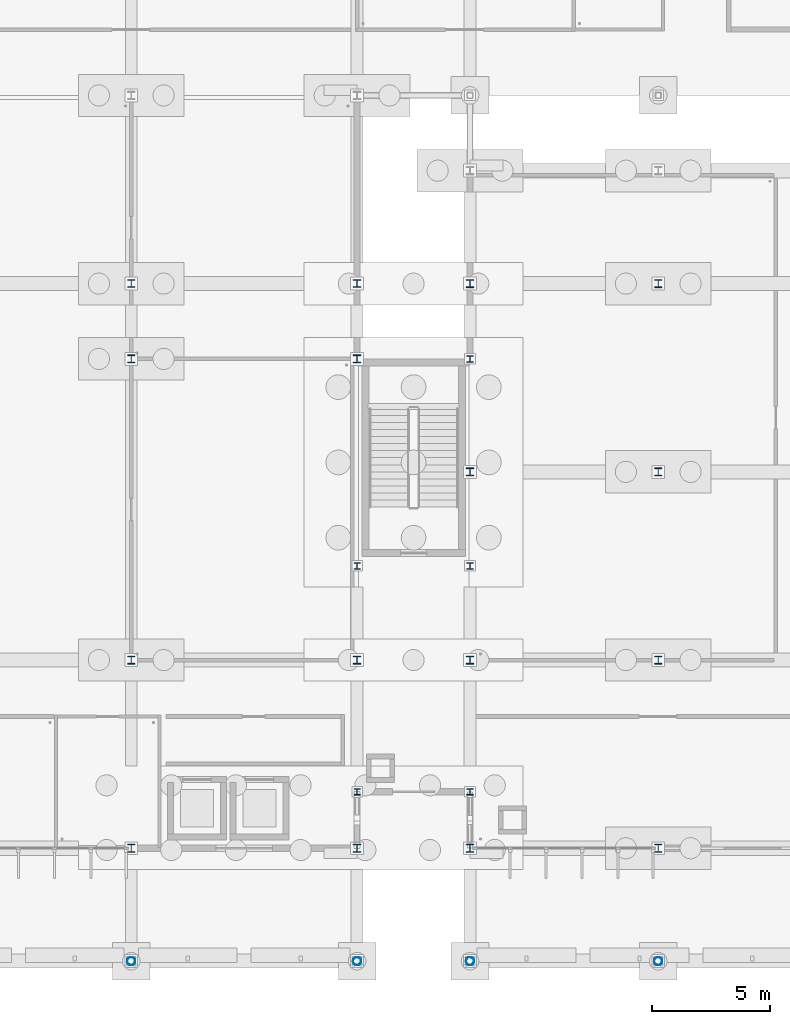
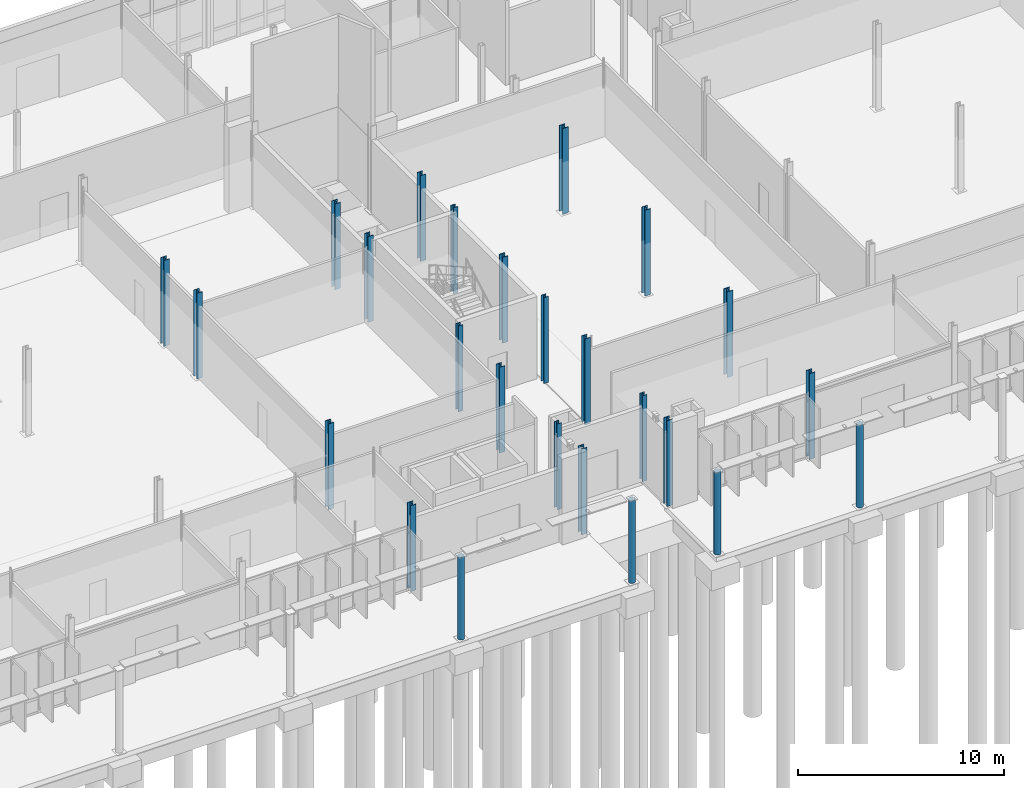
# One storey, part 11 of 111: 25 columns.
"""IFC4 building model written with IfcOpenShell, lengths in metres."""

from ifc_helpers import new_model, si_unit, direction, frame, origin, origin_2d, place, context, subcontext, project, spatial, hollow_circle, i_section, extrude, material, material_profile, profile_set, type_object, element, save


model = new_model("IFC4")

# Units and contexts
model_context = context("Model", 3, precision=1e-05, world=origin(), true_north=direction((0.0, 1.0)))
body_context = subcontext(model_context, "Body", "Model", "MODEL_VIEW")
ifc_project = project(units=[si_unit("LENGTHUNIT", "METRE"), si_unit("AREAUNIT", "SQUARE_METRE"), si_unit("VOLUMEUNIT", "CUBIC_METRE"), si_unit("PLANEANGLEUNIT", "RADIAN"), si_unit("MASSUNIT", "GRAM", prefix="KILO")], contexts=[model_context])

# Site, building, storey
site_placement = place(None, origin())
site = spatial("IfcSite", under=ifc_project, at=site_placement, CompositionType="ELEMENT")
building_placement = place(site_placement, origin())
building = spatial("IfcBuilding", under=site, at=building_placement, Name="Dunescarp Central Library", CompositionType="ELEMENT")
storey_placement = place(building_placement, origin())
storey = spatial("IfcBuildingStorey", under=building, at=storey_placement, Name="L00", CompositionType="ELEMENT", Elevation=0.0)

# Columns
ifc_material_1 = material(Name="Steel S355J0", Category="steel")
ifc_material_profile_1 = material_profile(ifc_material_1, hollow_circle(Radius=0.177734375, WallThickness=0.012451171875, at=origin_2d()), Name="CHS 355.6x12.5")
ifc_profile_set_1 = profile_set([ifc_material_profile_1], Name="Steel S355J0")
column_type_1 = type_object("IfcColumnType", Name="STR-COL-CHS355", PredefinedType="COLUMN", material=ifc_profile_set_1)
for number, where, z_axis, x_axis, name in (
    (1, (67.199951171875, 0.0, 0.0), (0.0, 0.0, 1.0), (1.0, 0.0, 0.0), "L00 column COLS-672"),
    (2, (76.800048828125, 0.0, 0.0), (0.0, 0.0, 1.0), (1.0, 0.0, 0.0), "L00 column COLS-768"),
    (3, (81.60009765625, 0.0, 0.0), (0.0, 0.0, 1.0), (1.0, 0.0, 0.0), "L00 column COLS-816"),
    (4, (89.60009765625, 0.0, 0.0), (0.0, 0.0, 1.0), (1.0, 0.0, 0.0), "L00 column COLS-896"),
):
    element("IfcColumn", number, at=place(storey_placement, frame(where, z_axis=z_axis, x_axis=x_axis)), inside=storey, type_object=column_type_1, Name=name, PredefinedType="COLUMN", context=body_context, shape_type="SweptSolid", body=[
        extrude(hollow_circle(Radius=0.177734375, WallThickness=0.012451171875, at=origin_2d()), origin(), (0.0, 0.0, 1.0), 4.909912109375),
    ])
ifc_material_2 = material(Name="Steel S355JR", Category="steel")
ifc_material_profile_2 = material_profile(ifc_material_2, i_section(OverallWidth=0.26123046875, OverallDepth=0.2763671875, WebThickness=0.015380859375, FlangeThickness=0.025390625, at=origin_2d()), Name="UC 254x254x132")
ifc_profile_set_2 = profile_set([ifc_material_profile_2], Name="Steel S355JR")
column_type_2 = type_object("IfcColumnType", Name="STR-COL-UC254X132", PredefinedType="COLUMN", material=ifc_profile_set_2)
for number, where, z_axis, x_axis, name in (
    (5, (76.800048828125, 7.199951171875, 0.0), (0.0, 0.0, 1.0), (1.0, 0.0, 0.0), "L00 column V2L-768-72"),
    (6, (76.800048828125, 16.800048828125, 0.0), (0.0, 0.0, 1.0), (1.0, 0.0, 0.0), "L00 column V2L-768-168"),
    (7, (81.60009765625, 7.199951171875, 0.0), (0.0, 0.0, 1.0), (1.0, 0.0, 0.0), "L00 column V3L-816-72"),
    (8, (81.60009765625, 16.800048828125, 0.0), (0.0, 0.0, 1.0), (1.0, 0.0, 0.0), "L00 column V3L-816-168"),
    (9, (81.60009765625, 25.60009765625, 0.0), (0.0, 0.0, 1.0), (1.0, 0.0, 0.0), "L00 column V3L-816-256"),
):
    element("IfcColumn", number, at=place(storey_placement, frame(where, z_axis=z_axis, x_axis=x_axis)), inside=storey, type_object=column_type_2, Name=name, PredefinedType="COLUMN", context=body_context, shape_type="SweptSolid", body=[
        extrude(i_section(OverallWidth=0.26123046875, OverallDepth=0.2763671875, WebThickness=0.015380859375, FlangeThickness=0.025390625, at=origin_2d()), origin(), (0.0, 0.0, 1.0), 5.10009765625),
    ])
ifc_material_profile_3 = material_profile(ifc_material_2, i_section(OverallWidth=0.311279296875, OverallDepth=0.3271484375, WebThickness=0.015869140625, FlangeThickness=0.02490234375, at=origin_2d()), Name="UC 305x305x158")
ifc_profile_set_3 = profile_set([ifc_material_profile_3], Name="Steel S355JR")
column_type_3 = type_object("IfcColumnType", Name="STR-COL-UC305X158", PredefinedType="COLUMN", material=ifc_profile_set_3)
for number, where, z_axis, x_axis, name in (
    (10, (67.199951171875, 28.800048828125, 0.0), (0.0, 0.0, 1.0), (1.0, 0.0, 0.0), "L00 column V2N5-672"),
    (11, (76.800048828125, 28.800048828125, 0.0), (0.0, 0.0, 1.0), (1.0, 0.0, 0.0), "L00 column V2N5-768"),
):
    element("IfcColumn", number, at=place(storey_placement, frame(where, z_axis=z_axis, x_axis=x_axis)), inside=storey, type_object=column_type_3, Name=name, PredefinedType="COLUMN", context=body_context, shape_type="SweptSolid", body=[
        extrude(i_section(OverallWidth=0.311279296875, OverallDepth=0.3271484375, WebThickness=0.015869140625, FlangeThickness=0.02490234375, at=origin_2d()), origin(), (0.0, 0.0, 1.0), 5.10009765625),
    ])
ifc_material_profile_4 = material_profile(ifc_material_2, i_section(OverallWidth=0.314453125, OverallDepth=0.33984375, WebThickness=0.01904296875, FlangeThickness=0.031494140625, at=origin_2d()), Name="UC 305x305x198")
ifc_profile_set_4 = profile_set([ifc_material_profile_4], Name="Steel S355JR")
column_type_4 = type_object("IfcColumnType", Name="STR-COL-UC305X198", PredefinedType="COLUMN", material=ifc_profile_set_4)
for number, where, z_axis, x_axis, name in (
    (12, (67.199951171875, 4.800048828125, 0.0), (0.0, 0.0, 1.0), (1.0, 0.0, 0.0), "L00 column V2-672-48"),
    (13, (67.199951171875, 12.800048828125, 0.0), (0.0, 0.0, 1.0), (1.0, 0.0, 0.0), "L00 column V2-672-128"),
    (14, (67.199951171875, 25.60009765625, 0.0), (0.0, 0.0, 1.0), (1.0, 0.0, 0.0), "L00 column V2-672-256"),
    (15, (76.800048828125, 4.800048828125, 0.0), (0.0, 0.0, 1.0), (1.0, 0.0, 0.0), "L00 column V2-768-48"),
    (16, (76.800048828125, 12.800048828125, 0.0), (0.0, 0.0, 1.0), (1.0, 0.0, 0.0), "L00 column V2-768-128"),
    (17, (76.800048828125, 25.60009765625, 0.0), (0.0, 0.0, 1.0), (1.0, 0.0, 0.0), "L00 column V2-768-256"),
    (18, (81.60009765625, 4.800048828125, 0.0), (0.0, 0.0, 1.0), (1.0, 0.0, 0.0), "L00 column V3-816-48"),
    (19, (81.60009765625, 12.800048828125, 0.0), (0.0, 0.0, 1.0), (1.0, 0.0, 0.0), "L00 column V3-816-128"),
    (20, (81.60009765625, 20.800048828125, 0.0), (0.0, 0.0, 1.0), (1.0, 0.0, 0.0), "L00 column V3-816-208"),
    (21, (81.60009765625, 28.800048828125, 0.0), (0.0, 0.0, 1.0), (1.0, 0.0, 0.0), "L00 column V3-816-288"),
    (22, (89.60009765625, 4.800048828125, 0.0), (0.0, 0.0, 1.0), (1.0, 0.0, 0.0), "L00 column V3-896-48"),
    (23, (89.60009765625, 12.800048828125, 0.0), (0.0, 0.0, 1.0), (1.0, 0.0, 0.0), "L00 column V3-896-128"),
    (24, (89.60009765625, 20.800048828125, 0.0), (0.0, 0.0, 1.0), (1.0, 0.0, 0.0), "L00 column V3-896-208"),
    (25, (89.60009765625, 28.800048828125, 0.0), (0.0, 0.0, 1.0), (1.0, 0.0, 0.0), "L00 column V3-896-288"),
):
    element("IfcColumn", number, at=place(storey_placement, frame(where, z_axis=z_axis, x_axis=x_axis)), inside=storey, type_object=column_type_4, Name=name, PredefinedType="COLUMN", context=body_context, shape_type="SweptSolid", body=[
        extrude(i_section(OverallWidth=0.314453125, OverallDepth=0.33984375, WebThickness=0.01904296875, FlangeThickness=0.031494140625, at=origin_2d()), origin(), (0.0, 0.0, 1.0), 5.10009765625),
    ])

save(model, "model.ifc")
